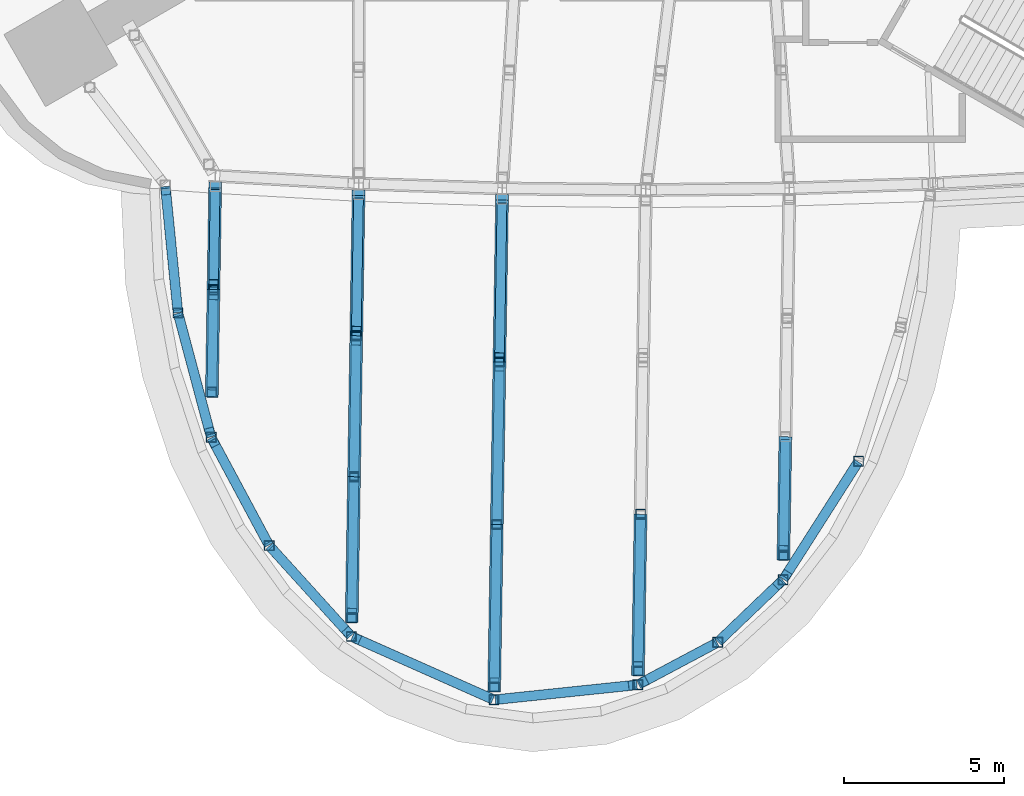
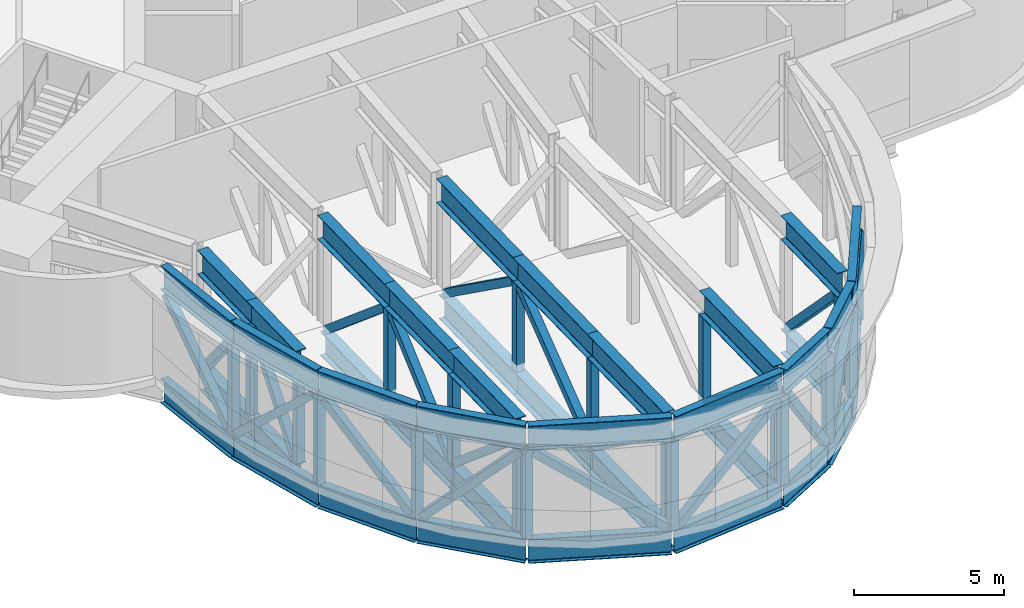
# One storey, part 2 of 10: 77 members.
"""IFC4 building model written with IfcOpenShell, lengths in metres."""

from ifc_helpers import new_model, si_unit, direction, frame, origin, origin_2d, place, context, subcontext, project, spatial, hollow_rectangle, i_section, extrude, material, material_profile, profile_set, type_object, element, save


model = new_model("IFC4")

# Units and contexts
model_context = context("Model", 3, precision=1e-05, world=origin(), true_north=direction((0.0, 1.0)))
body_context = subcontext(model_context, "Body", "Model", "MODEL_VIEW")
ifc_project = project(units=[si_unit("LENGTHUNIT", "METRE"), si_unit("AREAUNIT", "SQUARE_METRE"), si_unit("VOLUMEUNIT", "CUBIC_METRE"), si_unit("PLANEANGLEUNIT", "RADIAN"), si_unit("MASSUNIT", "GRAM", prefix="KILO")], contexts=[model_context])

# Site, building, storey
site_placement = place(None, origin())
site = spatial("IfcSite", under=ifc_project, at=site_placement, CompositionType="ELEMENT")
building_placement = place(site_placement, origin())
building = spatial("IfcBuilding", under=site, at=building_placement, Name="Noor Cloister Tower", CompositionType="ELEMENT")
storey_placement = place(building_placement, frame((0.0, 0.0, 210.300048828125)))
storey = spatial("IfcBuildingStorey", under=building, at=storey_placement, Name="L54", CompositionType="ELEMENT", Elevation=210.300048828125)

# Members
ifc_material_1 = material(Name="Steel ASTM A992 Gr 50", Category="steel")
ifc_material_profile_1 = material_profile(ifc_material_1, i_section(OverallWidth=0.300048828125, OverallDepth=0.97998046875, WebThickness=0.0166015625, FlangeThickness=0.026123046875, FilletRadius=0.02978515625, at=origin_2d()), Name="W1000x249")
ifc_profile_set_1 = profile_set([ifc_material_profile_1], Name="Steel ASTM A992 Gr 50")
member_type_1 = type_object("IfcMemberType", Name="Pod ring chord W1000x249", PredefinedType="CHORD", material=ifc_profile_set_1)
for number, where, z_axis, x_axis, name in (
    (1, (-15.0166015625, -14.83251953125, -0.7900390625), (0.099240959944, -0.995063431078, 0.0), (0.995063431078, 0.099240959944, 0.0), "Pod truss 4 bottom chord ring 2"),
    (2, (-15.0166015625, -14.83251953125, 3.81005859375), (0.099240959944, -0.995063431078, 0.0), (0.995063431078, 0.099240959944, 0.0), "Pod truss 4 top chord ring 2"),
):
    element("IfcMember", number, at=place(storey_placement, frame(where, z_axis=z_axis, x_axis=x_axis)), inside=storey, type_object=member_type_1, Name=name, PredefinedType="CHORD", context=body_context, shape_type="SweptSolid", body=[
        extrude(i_section(OverallWidth=0.300048828125, OverallDepth=0.97998046875, WebThickness=0.0166015625, FlangeThickness=0.026123046875, FilletRadius=0.02978515625, at=origin_2d()), origin(), (0.0, 0.0, 1.0), 3.955810546875),
    ])
for number, where, z_axis, x_axis, name in (
    (3, (-14.61962890625, -18.792724609375, -0.7900390625), (0.257890860886, -0.966174054646, 0.0), (0.966174054646, 0.257890860886, 0.0), "Pod truss 4 bottom chord ring 3"),
    (4, (-14.61962890625, -18.792724609375, 3.81005859375), (0.257890860886, -0.966174054646, 0.0), (0.966174054646, 0.257890860886, 0.0), "Pod truss 4 top chord ring 3"),
):
    element("IfcMember", number, at=place(storey_placement, frame(where, z_axis=z_axis, x_axis=x_axis)), inside=storey, type_object=member_type_1, Name=name, PredefinedType="CHORD", context=body_context, shape_type="SweptSolid", body=[
        extrude(i_section(OverallWidth=0.300048828125, OverallDepth=0.97998046875, WebThickness=0.0166015625, FlangeThickness=0.026123046875, FilletRadius=0.02978515625, at=origin_2d()), origin(), (0.0, 0.0, 1.0), 3.9951171875),
    ])
for number, where, z_axis, x_axis, name in (
    (5, (-13.576416015625, -22.684814453125, -0.7900390625), (0.472214282977, -0.881483789387, 0.0), (0.881483789387, 0.472214282977, 0.0), "Pod truss 4 bottom chord ring 4"),
    (6, (-13.576416015625, -22.684814453125, 3.81005859375), (0.472214282977, -0.881483789387, 0.0), (0.881483789387, 0.472214282977, 0.0), "Pod truss 4 top chord ring 4"),
):
    element("IfcMember", number, at=place(storey_placement, frame(where, z_axis=z_axis, x_axis=x_axis)), inside=storey, type_object=member_type_1, Name=name, PredefinedType="CHORD", context=body_context, shape_type="SweptSolid", body=[
        extrude(i_section(OverallWidth=0.300048828125, OverallDepth=0.97998046875, WebThickness=0.0166015625, FlangeThickness=0.026123046875, FilletRadius=0.02978515625, at=origin_2d()), origin(), (0.0, 0.0, 1.0), 3.801025390625),
    ])
for number, where, z_axis, x_axis, name in (
    (7, (-11.76025390625, -26.0654296875, -0.7900390625), (0.670969069911, -0.741485338508, 0.0), (0.741485338508, 0.670969069911, 0.0), "Pod truss 4 bottom chord ring 5"),
    (8, (-11.76025390625, -26.0654296875, 3.81005859375), (0.670969069911, -0.741485338508, 0.0), (0.741485338508, 0.670969069911, 0.0), "Pod truss 4 top chord ring 5"),
):
    element("IfcMember", number, at=place(storey_placement, frame(where, z_axis=z_axis, x_axis=x_axis)), inside=storey, type_object=member_type_1, Name=name, PredefinedType="CHORD", context=body_context, shape_type="SweptSolid", body=[
        extrude(i_section(OverallWidth=0.300048828125, OverallDepth=0.97998046875, WebThickness=0.0166015625, FlangeThickness=0.026123046875, FilletRadius=0.02978515625, at=origin_2d()), origin(), (0.0, 0.0, 1.0), 3.7841796875),
    ])
for number, where, z_axis, x_axis, name in (
    (9, (-9.170654296875, -28.907958984375, -0.7900390625), (0.91396239313, -0.405798895938, 0.0), (0.405798895938, 0.91396239313, 0.0), "Pod truss 4 bottom chord ring 6"),
    (10, (-9.170654296875, -28.907958984375, 3.81005859375), (0.91396239313, -0.405798895938, 0.0), (0.405798895938, 0.91396239313, 0.0), "Pod truss 4 top chord ring 6"),
):
    element("IfcMember", number, at=place(storey_placement, frame(where, z_axis=z_axis, x_axis=x_axis)), inside=storey, type_object=member_type_1, Name=name, PredefinedType="CHORD", context=body_context, shape_type="SweptSolid", body=[
        extrude(i_section(OverallWidth=0.300048828125, OverallDepth=0.97998046875, WebThickness=0.0166015625, FlangeThickness=0.026123046875, FilletRadius=0.02978515625, at=origin_2d()), origin(), (0.0, 0.0, 1.0), 4.803466796875),
    ])
for number, where, z_axis, x_axis, name in (
    (11, (-4.703857421875, -30.869384765625, -0.7900390625), (0.994588692535, 0.103890965346, 0.0), (-0.103890965346, 0.994588692535, 0.0), "Pod truss 4 bottom chord ring 7"),
    (12, (-4.703857421875, -30.869384765625, 3.81005859375), (0.994588692535, 0.103890965346, 0.0), (-0.103890965346, 0.994588692535, 0.0), "Pod truss 4 top chord ring 7"),
):
    element("IfcMember", number, at=place(storey_placement, frame(where, z_axis=z_axis, x_axis=x_axis)), inside=storey, type_object=member_type_1, Name=name, PredefinedType="CHORD", context=body_context, shape_type="SweptSolid", body=[
        extrude(i_section(OverallWidth=0.300048828125, OverallDepth=0.97998046875, WebThickness=0.0166015625, FlangeThickness=0.026123046875, FilletRadius=0.02978515625, at=origin_2d()), origin(), (0.0, 0.0, 1.0), 4.450927734375),
    ])
for number, where, z_axis, x_axis, name in (
    (13, (-0.22216796875, -30.39013671875, -0.7900390625), (0.88288325349, 0.469592547542, 0.0), (-0.469592547542, 0.88288325349, 0.0), "Pod truss 4 bottom chord ring 8"),
    (14, (-0.22216796875, -30.39013671875, 3.81005859375), (0.88288325349, 0.469592547542, 0.0), (-0.469592547542, 0.88288325349, 0.0), "Pod truss 4 top chord ring 8"),
):
    element("IfcMember", number, at=place(storey_placement, frame(where, z_axis=z_axis, x_axis=x_axis)), inside=storey, type_object=member_type_1, Name=name, PredefinedType="CHORD", context=body_context, shape_type="SweptSolid", body=[
        extrude(i_section(OverallWidth=0.300048828125, OverallDepth=0.97998046875, WebThickness=0.0166015625, FlangeThickness=0.026123046875, FilletRadius=0.02978515625, at=origin_2d()), origin(), (0.0, 0.0, 1.0), 2.775146484375),
    ])
for number, where, z_axis, x_axis, name in (
    (15, (2.26123046875, -29.062744140625, -0.7900390625), (0.72259056469, 0.691276265918, 0.0), (-0.691276265918, 0.72259056469, 0.0), "Pod truss 4 bottom chord ring 9"),
    (16, (2.26123046875, -29.062744140625, 3.81005859375), (0.72259056469, 0.691276265918, 0.0), (-0.691276265918, 0.72259056469, 0.0), "Pod truss 4 top chord ring 9"),
):
    element("IfcMember", number, at=place(storey_placement, frame(where, z_axis=z_axis, x_axis=x_axis)), inside=storey, type_object=member_type_1, Name=name, PredefinedType="CHORD", context=body_context, shape_type="SweptSolid", body=[
        extrude(i_section(OverallWidth=0.300048828125, OverallDepth=0.97998046875, WebThickness=0.0166015625, FlangeThickness=0.026123046875, FilletRadius=0.02978515625, at=origin_2d()), origin(), (0.0, 0.0, 1.0), 2.791015625),
    ])
for number, where, z_axis, x_axis, name in (
    (17, (4.301025390625, -27.10546875, -0.7900390625), (0.537271104183, 0.843409604291, 0.0), (-0.843409604291, 0.537271104183, 0.0), "Pod truss 4 bottom chord ring 10"),
    (18, (4.301025390625, -27.10546875, 3.81005859375), (0.537271104183, 0.843409604291, 0.0), (-0.843409604291, 0.537271104183, 0.0), "Pod truss 4 top chord ring 10"),
):
    element("IfcMember", number, at=place(storey_placement, frame(where, z_axis=z_axis, x_axis=x_axis)), inside=storey, type_object=member_type_1, Name=name, PredefinedType="CHORD", context=body_context, shape_type="SweptSolid", body=[
        extrude(i_section(OverallWidth=0.300048828125, OverallDepth=0.97998046875, WebThickness=0.0166015625, FlangeThickness=0.026123046875, FilletRadius=0.02978515625, at=origin_2d()), origin(), (0.0, 0.0, 1.0), 4.351806640625),
    ])
ifc_material_2 = material(Name="Steel ASTM A992 Gr 50", Category="steel")
ifc_material_profile_2 = material_profile(ifc_material_2, i_section(OverallWidth=0.40087890625, OverallDepth=0.98291015625, WebThickness=0.0166015625, FlangeThickness=0.027099609375, FilletRadius=0.030029296875, at=origin_2d()), Name="W1000x296")
ifc_profile_set_2 = profile_set([ifc_material_profile_2], Name="Steel ASTM A992 Gr 50")
member_type_2 = type_object("IfcMemberType", Name="Pod truss chord W1000x296", PredefinedType="CHORD", material=ifc_profile_set_2)
member_1_placement = place(storey_placement, frame((-13.459716796875, -14.872314453125, -0.79150390625), z_axis=(-0.01603784494, -0.999871385494, 0.0), x_axis=(0.999871385494, -0.01603784494, 0.0)))
element("IfcMember", 19, at=member_1_placement, inside=storey, type_object=member_type_2, Name="Pod truss 4 bottom chord line 1 cantilever 1", PredefinedType="CHORD", context=body_context, shape_type="SweptSolid", body=[
    extrude(i_section(OverallWidth=0.40087890625, OverallDepth=0.98291015625, WebThickness=0.0166015625, FlangeThickness=0.027099609375, FilletRadius=0.030029296875, at=origin_2d()), origin(), (0.0, 0.0, 1.0), 3.181640625),
])
member_2_placement = place(storey_placement, frame((-13.456787109375, -14.69140625, 3.808349609375), z_axis=(-0.016046151096, -0.99987125223, 0.0), x_axis=(0.99987125223, -0.016046151096, 0.0)))
element("IfcMember", 20, at=member_2_placement, inside=storey, type_object=member_type_2, Name="Pod truss 4 top chord line 1 cantilever 1", PredefinedType="CHORD", context=body_context, shape_type="SweptSolid", body=[
    extrude(i_section(OverallWidth=0.40087890625, OverallDepth=0.98291015625, WebThickness=0.0166015625, FlangeThickness=0.027099609375, FilletRadius=0.030029296875, at=origin_2d()), origin(), (0.0, 0.0, 1.0), 3.362548828125),
])
for number, where, z_axis, x_axis, name in (
    (21, (-13.5107421875, -18.053466796875, -0.79150390625), (-0.016044986267, -0.999871270922, 0.0), (0.999871270922, -0.016044986267, 0.0), "Pod truss 4 bottom chord line 1 cantilever 2"),
    (22, (-13.5107421875, -18.053466796875, 3.808349609375), (-0.016044986267, -0.999871270922, 0.0), (0.999871270922, -0.016044986267, 0.0), "Pod truss 4 top chord line 1 cantilever 2"),
):
    element("IfcMember", number, at=place(storey_placement, frame(where, z_axis=z_axis, x_axis=x_axis)), inside=storey, type_object=member_type_2, Name=name, PredefinedType="CHORD", context=body_context, shape_type="SweptSolid", body=[
        extrude(i_section(OverallWidth=0.40087890625, OverallDepth=0.98291015625, WebThickness=0.0166015625, FlangeThickness=0.027099609375, FilletRadius=0.030029296875, at=origin_2d()), origin(), (0.0, 0.0, 1.0), 3.36279296875),
    ])
member_3_placement = place(storey_placement, frame((-8.978759765625, -15.11376953125, -0.79150390625), z_axis=(-0.01604786629, -0.999871224702, 0.0), x_axis=(0.999871224702, -0.01604786629, 0.0)))
element("IfcMember", 23, at=member_3_placement, inside=storey, type_object=member_type_2, Name="Pod truss 4 bottom chord line 2 cantilever 1", PredefinedType="CHORD", context=body_context, shape_type="SweptSolid", body=[
    extrude(i_section(OverallWidth=0.40087890625, OverallDepth=0.98291015625, WebThickness=0.0166015625, FlangeThickness=0.027099609375, FilletRadius=0.030029296875, at=origin_2d()), origin(), (0.0, 0.0, 1.0), 4.38134765625),
])
member_4_placement = place(storey_placement, frame((-8.975830078125, -14.935302734375, 3.808349609375), z_axis=(-0.016062184655, -0.999870994791, 0.0), x_axis=(0.999870994791, -0.016062184655, 0.0)))
element("IfcMember", 24, at=member_4_placement, inside=storey, type_object=member_type_2, Name="Pod truss 4 top chord line 2 cantilever 1", PredefinedType="CHORD", context=body_context, shape_type="SweptSolid", body=[
    extrude(i_section(OverallWidth=0.40087890625, OverallDepth=0.98291015625, WebThickness=0.0166015625, FlangeThickness=0.027099609375, FilletRadius=0.030029296875, at=origin_2d()), origin(), (0.0, 0.0, 1.0), 4.559814453125),
])
for number, where, z_axis, x_axis, name in (
    (25, (-9.049072265625, -19.49462890625, -0.79150390625), (-0.016008141819, -0.999871861488, 0.0), (0.999871861488, -0.016008141819, 0.0), "Pod truss 4 bottom chord line 2 cantilever 2"),
    (26, (-9.049072265625, -19.49462890625, 3.808349609375), (-0.016008141819, -0.999871861488, 0.0), (0.999871861488, -0.016008141819, 0.0), "Pod truss 4 top chord line 2 cantilever 2"),
):
    element("IfcMember", number, at=place(storey_placement, frame(where, z_axis=z_axis, x_axis=x_axis)), inside=storey, type_object=member_type_2, Name=name, PredefinedType="CHORD", context=body_context, shape_type="SweptSolid", body=[
        extrude(i_section(OverallWidth=0.40087890625, OverallDepth=0.98291015625, WebThickness=0.0166015625, FlangeThickness=0.027099609375, FilletRadius=0.030029296875, at=origin_2d()), origin(), (0.0, 0.0, 1.0), 4.407470703125),
    ])
for number, where, z_axis, x_axis, name in (
    (27, (-9.11962890625, -23.901611328125, -0.79150390625), (-0.016062184655, -0.999870994791, 0.0), (0.999870994791, -0.016062184655, 0.0), "Pod truss 4 bottom chord line 2 cantilever 3"),
    (28, (-9.11962890625, -23.901611328125, 3.808349609375), (-0.016062184655, -0.999870994791, 0.0), (0.999870994791, -0.016062184655, 0.0), "Pod truss 4 top chord line 2 cantilever 3"),
):
    element("IfcMember", number, at=place(storey_placement, frame(where, z_axis=z_axis, x_axis=x_axis)), inside=storey, type_object=member_type_2, Name=name, PredefinedType="CHORD", context=body_context, shape_type="SweptSolid", body=[
        extrude(i_section(OverallWidth=0.40087890625, OverallDepth=0.98291015625, WebThickness=0.0166015625, FlangeThickness=0.027099609375, FilletRadius=0.030029296875, at=origin_2d()), origin(), (0.0, 0.0, 1.0), 4.559814453125),
    ])
member_5_placement = place(storey_placement, frame((-4.493408203125, -15.2568359375, -0.79150390625), z_axis=(-0.016029617258, -0.999871517431, 0.0), x_axis=(0.999871517431, -0.016029617258, 0.0)))
element("IfcMember", 29, at=member_5_placement, inside=storey, type_object=member_type_2, Name="Pod truss 4 bottom chord line 3 cantilever 1", PredefinedType="CHORD", context=body_context, shape_type="SweptSolid", body=[
    extrude(i_section(OverallWidth=0.40087890625, OverallDepth=0.98291015625, WebThickness=0.0166015625, FlangeThickness=0.027099609375, FilletRadius=0.030029296875, at=origin_2d()), origin(), (0.0, 0.0, 1.0), 5.056640625),
])
member_6_placement = place(storey_placement, frame((-4.490478515625, -15.080078125, 3.808349609375), z_axis=(-0.016047949463, -0.999871223367, 0.0), x_axis=(0.999871223367, -0.016047949463, 0.0)))
element("IfcMember", 30, at=member_6_placement, inside=storey, type_object=member_type_2, Name="Pod truss 4 top chord line 3 cantilever 1", PredefinedType="CHORD", context=body_context, shape_type="SweptSolid", body=[
    extrude(i_section(OverallWidth=0.40087890625, OverallDepth=0.98291015625, WebThickness=0.0166015625, FlangeThickness=0.027099609375, FilletRadius=0.030029296875, at=origin_2d()), origin(), (0.0, 0.0, 1.0), 5.2333984375),
])
for number, where, z_axis, x_axis, name in (
    (31, (-4.574462890625, -20.312744140625, -0.79150390625), (-0.016049451199, -0.999871199263, 0.0), (0.999871199263, -0.016049451199, 0.0), "Pod truss 4 bottom chord line 3 cantilever 2"),
    (32, (-4.574462890625, -20.312744140625, 3.808349609375), (-0.016049451199, -0.999871199263, 0.0), (0.999871199263, -0.016049451199, 0.0), "Pod truss 4 top chord line 3 cantilever 2"),
):
    element("IfcMember", number, at=place(storey_placement, frame(where, z_axis=z_axis, x_axis=x_axis)), inside=storey, type_object=member_type_2, Name=name, PredefinedType="CHORD", context=body_context, shape_type="SweptSolid", body=[
        extrude(i_section(OverallWidth=0.40087890625, OverallDepth=0.98291015625, WebThickness=0.0166015625, FlangeThickness=0.027099609375, FilletRadius=0.030029296875, at=origin_2d()), origin(), (0.0, 0.0, 1.0), 5.080810546875),
    ])
for number, where, z_axis, x_axis, name in (
    (33, (-4.656005859375, -25.392822265625, -0.79150390625), (-0.016047949463, -0.999871223367, 0.0), (0.999871223367, -0.016047949463, 0.0), "Pod truss 4 bottom chord line 3 cantilever 3"),
    (34, (-4.656005859375, -25.392822265625, 3.808349609375), (-0.016047949463, -0.999871223367, 0.0), (0.999871223367, -0.016047949463, 0.0), "Pod truss 4 top chord line 3 cantilever 3"),
):
    element("IfcMember", number, at=place(storey_placement, frame(where, z_axis=z_axis, x_axis=x_axis)), inside=storey, type_object=member_type_2, Name=name, PredefinedType="CHORD", context=body_context, shape_type="SweptSolid", body=[
        extrude(i_section(OverallWidth=0.40087890625, OverallDepth=0.98291015625, WebThickness=0.0166015625, FlangeThickness=0.027099609375, FilletRadius=0.030029296875, at=origin_2d()), origin(), (0.0, 0.0, 1.0), 5.2333984375),
    ])
for number, where, z_axis, x_axis, name in (
    (35, (-0.16259765625, -25.07421875, -0.79150390625), (-0.016055971144, -0.999871094587, 0.0), (0.999871094587, -0.016055971144, 0.0), "Pod truss 4 bottom chord line 4 cantilever 3"),
    (36, (-0.16259765625, -25.07421875, 3.808349609375), (-0.016055971144, -0.999871094587, 0.0), (0.999871094587, -0.016055971144, 0.0), "Pod truss 4 top chord line 4 cantilever 3"),
):
    element("IfcMember", number, at=place(storey_placement, frame(where, z_axis=z_axis, x_axis=x_axis)), inside=storey, type_object=member_type_2, Name=name, PredefinedType="CHORD", context=body_context, shape_type="SweptSolid", body=[
        extrude(i_section(OverallWidth=0.40087890625, OverallDepth=0.98291015625, WebThickness=0.0166015625, FlangeThickness=0.027099609375, FilletRadius=0.030029296875, at=origin_2d()), origin(), (0.0, 0.0, 1.0), 5.04833984375),
    ])
for number, where, z_axis, x_axis, name in (
    (37, (4.363037109375, -22.650146484375, -0.79150390625), (-0.016070821833, -0.999870856004, 0.0), (0.999870856004, -0.016070821833, 0.0), "Pod truss 4 bottom chord line 5 cantilever 3"),
    (38, (4.363037109375, -22.650146484375, 3.808349609375), (-0.016070821833, -0.999870856004, 0.0), (0.999870856004, -0.016070821833, 0.0), "Pod truss 4 top chord line 5 cantilever 3"),
):
    element("IfcMember", number, at=place(storey_placement, frame(where, z_axis=z_axis, x_axis=x_axis)), inside=storey, type_object=member_type_2, Name=name, PredefinedType="CHORD", context=body_context, shape_type="SweptSolid", body=[
        extrude(i_section(OverallWidth=0.40087890625, OverallDepth=0.98291015625, WebThickness=0.0166015625, FlangeThickness=0.027099609375, FilletRadius=0.030029296875, at=origin_2d()), origin(), (0.0, 0.0, 1.0), 3.858642578125),
    ])
ifc_material_3 = material(Name="Steel ASTM A500 Gr C", Category="steel")
ifc_material_profile_3 = material_profile(ifc_material_3, hollow_rectangle(XDim=0.304931640625, YDim=0.304931640625, WallThickness=0.0126953125, at=origin_2d()), Name="HSS304.8x304.8x12.7")
ifc_profile_set_3 = profile_set([ifc_material_profile_3], Name="Steel ASTM A500 Gr C")
member_type_3 = type_object("IfcMemberType", Name="Pod truss diagonal HSS304.8x304.8x12.7", PredefinedType="BRACE", material=ifc_profile_set_3)
member_7_placement = place(storey_placement, frame((-15.001220703125, -14.986328125, 3.208740234375), z_axis=(0.072280433498, -0.725166119055, -0.684769770586), x_axis=(0.995069225879, 0.099182839789, 0.0)))
element("IfcMember", 39, at=member_7_placement, inside=storey, type_object=member_type_3, Name="Pod truss 4 diagonal ring 2", PredefinedType="BRACE", context=body_context, shape_type="SweptSolid", body=[
    extrude(hollow_rectangle(XDim=0.304931640625, YDim=0.304931640625, WallThickness=0.0126953125, at=origin_2d()), origin(), (0.0, 0.0, 1.0), 4.9619140625),
])
member_8_placement = place(storey_placement, frame((-14.572021484375, -18.971923828125, -0.188720703125), z_axis=(0.188330148376, -0.705390939055, 0.683341333678), x_axis=(0.966157865563, 0.257951504764, 0.0)))
element("IfcMember", 40, at=member_8_placement, inside=storey, type_object=member_type_3, Name="Pod truss 4 diagonal ring 3", PredefinedType="BRACE", context=body_context, shape_type="SweptSolid", body=[
    extrude(hollow_rectangle(XDim=0.304931640625, YDim=0.304931640625, WallThickness=0.0126953125, at=origin_2d()), origin(), (0.0, 0.0, 1.0), 4.971435546875),
])
member_9_placement = place(storey_placement, frame((-13.491455078125, -22.843505859375, 3.21142578125), z_axis=(0.335817550501, -0.626845977414, -0.703058100996), x_axis=(0.881475752357, 0.472229285419, 0.0)))
element("IfcMember", 41, at=member_9_placement, inside=storey, type_object=member_type_3, Name="Pod truss 4 diagonal ring 4", PredefinedType="BRACE", context=body_context, shape_type="SweptSolid", body=[
    extrude(hollow_rectangle(XDim=0.304931640625, YDim=0.304931640625, WallThickness=0.0126953125, at=origin_2d()), origin(), (0.0, 0.0, 1.0), 4.84033203125),
])
member_10_placement = place(storey_placement, frame((-11.64013671875, -26.1982421875, -0.191650390625), z_axis=(0.476978031869, -0.527082674379, 0.703331935493), x_axis=(0.741470193149, 0.670985806609, 0.0)))
element("IfcMember", 42, at=member_10_placement, inside=storey, type_object=member_type_3, Name="Pod truss 4 diagonal ring 5", PredefinedType="BRACE", context=body_context, shape_type="SweptSolid", body=[
    extrude(hollow_rectangle(XDim=0.304931640625, YDim=0.304931640625, WallThickness=0.0126953125, at=origin_2d()), origin(), (0.0, 0.0, 1.0), 4.838623046875),
])
member_11_placement = place(storey_placement, frame((-9.019287109375, -28.97509765625, 3.1982421875), z_axis=(0.729899201323, -0.324109536246, -0.601830677535), x_axis=(0.405835102082, 0.913946316759, 0.0)))
element("IfcMember", 43, at=member_11_placement, inside=storey, type_object=member_type_3, Name="Pod truss 4 diagonal ring 6", PredefinedType="BRACE", context=body_context, shape_type="SweptSolid", body=[
    extrude(hollow_rectangle(XDim=0.304931640625, YDim=0.304931640625, WallThickness=0.0126953125, at=origin_2d()), origin(), (0.0, 0.0, 1.0), 5.6103515625),
])
member_12_placement = place(storey_placement, frame((-4.54736328125, -30.85302734375, -0.18212890625), z_axis=(0.768929929214, 0.08030181647, 0.634269960057), x_axis=(-0.103868331108, 0.994591056562, 0.0)))
element("IfcMember", 44, at=member_12_placement, inside=storey, type_object=member_type_3, Name="Pod truss 4 diagonal ring 7", PredefinedType="BRACE", context=body_context, shape_type="SweptSolid", body=[
    extrude(hollow_rectangle(XDim=0.304931640625, YDim=0.304931640625, WallThickness=0.0126953125, at=origin_2d()), origin(), (0.0, 0.0, 1.0), 5.335693359375),
])
member_13_placement = place(storey_placement, frame((-0.07373046875, -30.311279296875, 3.23193359375), z_axis=(0.509039504177, 0.270765693711, -0.81704634036), x_axis=(-0.469612972978, 0.882872389199, 0.0)))
element("IfcMember", 45, at=member_13_placement, inside=storey, type_object=member_type_3, Name="Pod truss 4 diagonal ring 8", PredefinedType="BRACE", context=body_context, shape_type="SweptSolid", body=[
    extrude(hollow_rectangle(XDim=0.304931640625, YDim=0.304931640625, WallThickness=0.0126953125, at=origin_2d()), origin(), (0.0, 0.0, 1.0), 4.21533203125),
])
member_14_placement = place(storey_placement, frame((2.388916015625, -28.940673828125, -0.2119140625), z_axis=(0.417215481777, 0.399098327809, 0.816487456429), x_axis=(-0.691243131703, 0.72262226154, 0.0)))
element("IfcMember", 46, at=member_14_placement, inside=storey, type_object=member_type_3, Name="Pod truss 4 diagonal ring 9", PredefinedType="BRACE", context=body_context, shape_type="SweptSolid", body=[
    extrude(hollow_rectangle(XDim=0.304931640625, YDim=0.304931640625, WallThickness=0.0126953125, at=origin_2d()), origin(), (0.0, 0.0, 1.0), 4.2177734375),
])
member_15_placement = place(storey_placement, frame((4.3974609375, -26.9541015625, 3.20361328125), z_axis=(0.409764516869, 0.643289739201, -0.646739013942), x_axis=(-0.843424861366, 0.537247152835, 0.0)))
element("IfcMember", 47, at=member_15_placement, inside=storey, type_object=member_type_3, Name="Pod truss 4 diagonal ring 10", PredefinedType="BRACE", context=body_context, shape_type="SweptSolid", body=[
    extrude(hollow_rectangle(XDim=0.304931640625, YDim=0.304931640625, WallThickness=0.0126953125, at=origin_2d()), origin(), (0.0, 0.0, 1.0), 5.23779296875),
])
for number, where, z_axis, x_axis, name in (
    (48, (-13.46240234375, -15.041259765625, -0.203125), (-0.010190655767, -0.635125735101, 0.772341537888), (0.999871302236, -0.016043034771, 0.0), "Pod truss 4 diagonal line 1 cantilever 1"),
    (49, (-13.513916015625, -18.2509765625, 3.219970703125), (-0.010190655767, -0.635125735101, -0.772341537888), (0.999871302236, -0.016043034771, 0.0), "Pod truss 4 diagonal line 1 cantilever 2"),
):
    element("IfcMember", number, at=place(storey_placement, frame(where, z_axis=z_axis, x_axis=x_axis)), inside=storey, type_object=member_type_3, Name=name, PredefinedType="BRACE", context=body_context, shape_type="SweptSolid", body=[
        extrude(hollow_rectangle(XDim=0.304931640625, YDim=0.304931640625, WallThickness=0.0126953125, at=origin_2d()), origin(), (0.0, 0.0, 1.0), 4.43212890625),
    ])
for number, where, z_axis, x_axis, name in (
    (50, (-8.9814453125, -15.28515625, -0.183349609375), (-0.012279564081, -0.764356350562, 0.644677114269), (0.999870979093, -0.016063161838, 0.0), "Pod truss 4 diagonal line 2 cantilever 1"),
    (51, (-9.05224609375, -19.692138671875, 3.200439453125), (-0.012233057555, -0.764356786309, -0.644677481789), (0.999871954485, -0.016002332138, 0.0), "Pod truss 4 diagonal line 2 cantilever 2"),
    (52, (-9.122802734375, -24.09912109375, -0.183349609375), (-0.012279564081, -0.764356350562, 0.644677114269), (0.999870979093, -0.016063161838, 0.0), "Pod truss 4 diagonal line 2 cantilever 3"),
):
    element("IfcMember", number, at=place(storey_placement, frame(where, z_axis=z_axis, x_axis=x_axis)), inside=storey, type_object=member_type_3, Name=name, PredefinedType="BRACE", context=body_context, shape_type="SweptSolid", body=[
        extrude(hollow_rectangle(XDim=0.304931640625, YDim=0.304931640625, WallThickness=0.0126953125, at=origin_2d()), origin(), (0.0, 0.0, 1.0), 5.248779296875),
    ])
member_16_placement = place(storey_placement, frame((-4.49609375, -15.429931640625, -0.17626953125), z_axis=(-0.013028679176, -0.811796694997, 0.583794809424), x_axis=(0.999871236629, -0.016047123177, 0.0)))
element("IfcMember", 53, at=member_16_placement, inside=storey, type_object=member_type_3, Name="Pod truss 4 diagonal line 3 cantilever 1", PredefinedType="BRACE", context=body_context, shape_type="SweptSolid", body=[
    extrude(hollow_rectangle(XDim=0.304931640625, YDim=0.304931640625, WallThickness=0.0126953125, at=origin_2d()), origin(), (0.0, 0.0, 1.0), 5.771484375),
])
member_17_placement = place(storey_placement, frame((-4.57763671875, -20.51025390625, 3.193115234375), z_axis=(-0.013029126588, -0.811782270232, -0.583814857294), x_axis=(0.999871223211, -0.016047959184, 0.0)))
element("IfcMember", 54, at=member_17_placement, inside=storey, type_object=member_type_3, Name="Pod truss 4 diagonal line 3 cantilever 2", PredefinedType="BRACE", context=body_context, shape_type="SweptSolid", body=[
    extrude(hollow_rectangle(XDim=0.304931640625, YDim=0.304931640625, WallThickness=0.0126953125, at=origin_2d()), origin(), (0.0, 0.0, 1.0), 5.771240234375),
])
member_18_placement = place(storey_placement, frame((-4.6591796875, -25.59033203125, -0.17626953125), z_axis=(-0.013028679176, -0.811796694997, 0.583794809424), x_axis=(0.999871236629, -0.016047123177, 0.0)))
element("IfcMember", 55, at=member_18_placement, inside=storey, type_object=member_type_3, Name="Pod truss 4 diagonal line 3 cantilever 3", PredefinedType="BRACE", context=body_context, shape_type="SweptSolid", body=[
    extrude(hollow_rectangle(XDim=0.304931640625, YDim=0.304931640625, WallThickness=0.0126953125, at=origin_2d()), origin(), (0.0, 0.0, 1.0), 5.771484375),
])
member_19_placement = place(storey_placement, frame((-0.165771484375, -25.271728515625, -0.177978515625), z_axis=(-0.012848726253, -0.800137064289, 0.599679571592), x_axis=(0.999871092734, -0.016056086554, 0.0)))
element("IfcMember", 56, at=member_19_placement, inside=storey, type_object=member_type_3, Name="Pod truss 4 diagonal line 4 cantilever 3", PredefinedType="BRACE", context=body_context, shape_type="SweptSolid", body=[
    extrude(hollow_rectangle(XDim=0.304931640625, YDim=0.304931640625, WallThickness=0.0126953125, at=origin_2d()), origin(), (0.0, 0.0, 1.0), 5.624267578125),
])
member_20_placement = place(storey_placement, frame((4.35986328125, -22.84765625, -0.193603515625), z_axis=(-0.011207028255, -0.697149129195, 0.716838541221), x_axis=(0.999870814016, -0.016073433925, 0.0)))
element("IfcMember", 57, at=member_20_placement, inside=storey, type_object=member_type_3, Name="Pod truss 4 diagonal line 5 cantilever 3", PredefinedType="BRACE", context=body_context, shape_type="SweptSolid", body=[
    extrude(hollow_rectangle(XDim=0.304931640625, YDim=0.304931640625, WallThickness=0.0126953125, at=origin_2d()), origin(), (0.0, 0.0, 1.0), 4.7490234375),
])
ifc_material_4 = material(Name="Steel ASTM A500 Gr C", Category="steel")
ifc_material_profile_4 = material_profile(ifc_material_4, hollow_rectangle(XDim=0.304931640625, YDim=0.304931640625, WallThickness=0.0126953125, at=origin_2d()), Name="HSS304.8x304.8x12.7")
ifc_profile_set_4 = profile_set([ifc_material_profile_4], Name="Steel ASTM A500 Gr C")
member_type_4 = type_object("IfcMemberType", Name="Pod truss post HSS304.8x304.8x12.7", PredefinedType="POST", material=ifc_profile_set_4)
for number, where, z_axis, x_axis, name in (
    (58, (-14.622802734375, -18.781005859375, -0.300048828125), (0.0, 0.0, 1.0), (1.0, 0.0, 0.0), "Pod truss 4 post ring node 2"),
    (59, (-13.584716796875, -22.66943359375, -0.300048828125), (0.0, 0.0, 1.0), (1.0, 0.0, 0.0), "Pod truss 4 post ring node 3"),
    (60, (-11.772705078125, -26.0517578125, -0.300048828125), (0.0, 0.0, 1.0), (1.0, 0.0, 0.0), "Pod truss 4 post ring node 4"),
    (61, (-9.19970703125, -28.89501953125, -0.300048828125), (0.0, 0.0, 1.0), (1.0, 0.0, 0.0), "Pod truss 4 post ring node 5"),
    (62, (-4.743896484375, -30.87353515625, -0.300048828125), (0.0, 0.0, 1.0), (1.0, 0.0, 0.0), "Pod truss 4 post ring node 6"),
    (63, (-0.248046875, -30.404052734375, -0.300048828125), (0.0, 0.0, 1.0), (1.0, 0.0, 0.0), "Pod truss 4 post ring node 7"),
    (64, (2.246337890625, -29.0771484375, -0.300048828125), (0.0, 0.0, 1.0), (1.0, 0.0, 0.0), "Pod truss 4 post ring node 8"),
    (65, (4.291259765625, -27.120849609375, -0.300048828125), (0.0, 0.0, 1.0), (1.0, 0.0, 0.0), "Pod truss 4 post ring node 9"),
    (66, (6.649658203125, -23.418212890625, -0.300048828125), (0.0, 0.0, 1.0), (1.0, 0.0, 0.0), "Pod truss 4 post ring node 10"),
):
    element("IfcMember", number, at=place(storey_placement, frame(where, z_axis=z_axis, x_axis=x_axis)), inside=storey, type_object=member_type_4, Name=name, PredefinedType="POST", context=body_context, shape_type="SweptSolid", body=[
        extrude(hollow_rectangle(XDim=0.304931640625, YDim=0.304931640625, WallThickness=0.0126953125, at=origin_2d()), origin(), (0.0, 0.0, 1.0), 3.6201171875),
    ])
for number, where, z_axis, x_axis, name in (
    (67, (-13.5107421875, -18.053466796875, -0.300048828125), (0.0, 0.0, 1.0), (1.0, 0.0, 0.0), "Pod truss 4 post line 1 cantilever 2"),
    (68, (-13.562255859375, -21.263427734375, -0.300048828125), (0.0, 0.0, 1.0), (1.0, 0.0, 0.0), "Pod truss 4 post line 1 cantilever 3"),
    (69, (-9.049072265625, -19.49462890625, -0.300048828125), (0.0, 0.0, 1.0), (1.0, 0.0, 0.0), "Pod truss 4 post line 2 cantilever 2"),
    (70, (-9.11962890625, -23.901611328125, -0.300048828125), (0.0, 0.0, 1.0), (1.0, 0.0, 0.0), "Pod truss 4 post line 2 cantilever 3"),
    (71, (-9.1904296875, -28.30859375, -0.300048828125), (0.0, 0.0, 1.0), (1.0, 0.0, 0.0), "Pod truss 4 post line 2 cantilever 4"),
    (72, (-4.574462890625, -20.312744140625, -0.300048828125), (0.0, 0.0, 1.0), (1.0, 0.0, 0.0), "Pod truss 4 post line 3 cantilever 2"),
    (73, (-4.656005859375, -25.392822265625, -0.300048828125), (0.0, 0.0, 1.0), (1.0, 0.0, 0.0), "Pod truss 4 post line 3 cantilever 3"),
    (74, (-4.7373046875, -30.47314453125, -0.300048828125), (0.0, 0.0, 1.0), (1.0, 0.0, 0.0), "Pod truss 4 post line 3 cantilever 4"),
    (75, (-0.16259765625, -25.07421875, -0.300048828125), (0.0, 0.0, 1.0), (1.0, 0.0, 0.0), "Pod truss 4 post line 4 cantilever 3"),
    (76, (-0.240966796875, -29.969482421875, -0.300048828125), (0.0, 0.0, 1.0), (1.0, 0.0, 0.0), "Pod truss 4 post line 4 cantilever 4"),
    (77, (4.303466796875, -26.35595703125, -0.300048828125), (0.0, 0.0, 1.0), (1.0, 0.0, 0.0), "Pod truss 4 post line 5 cantilever 4"),
):
    element("IfcMember", number, at=place(storey_placement, frame(where, z_axis=z_axis, x_axis=x_axis)), inside=storey, type_object=member_type_4, Name=name, PredefinedType="POST", context=body_context, shape_type="SweptSolid", body=[
        extrude(hollow_rectangle(XDim=0.304931640625, YDim=0.304931640625, WallThickness=0.0126953125, at=origin_2d()), origin(), (0.0, 0.0, 1.0), 3.616943359375),
    ])

save(model, "model.ifc")
